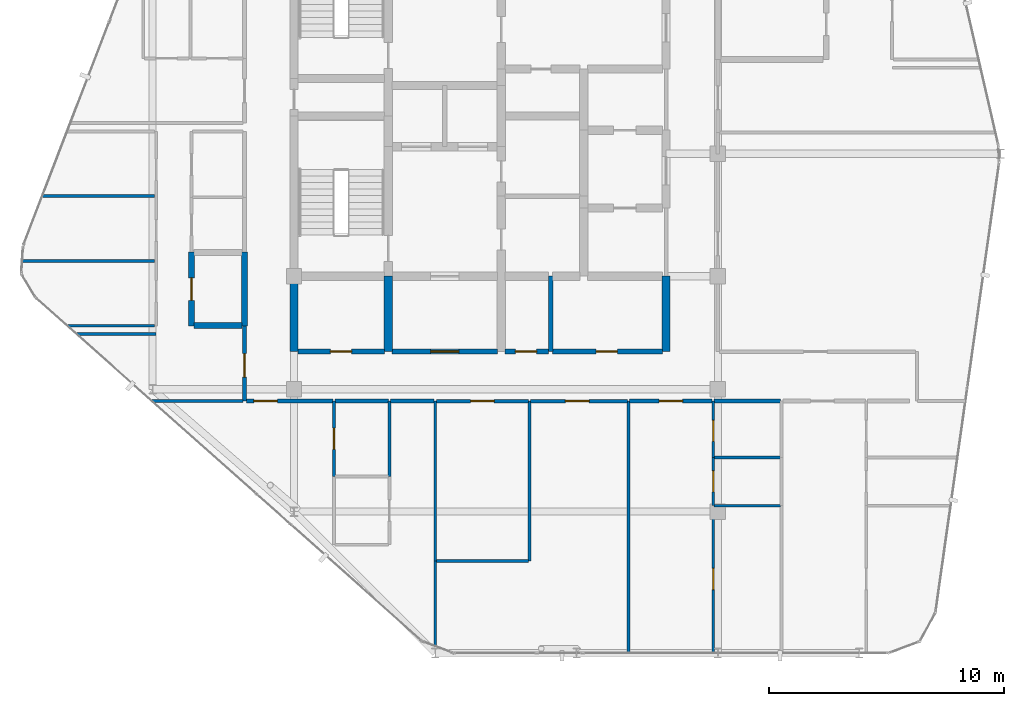
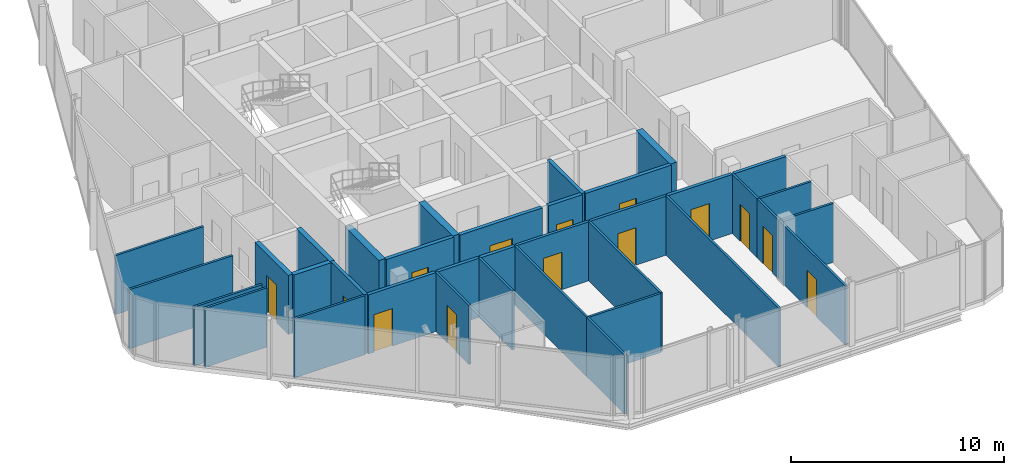
# One storey, part 22 of 28: 36 walls, 14 doors, 14 openings.
"""IFC4 building model written with IfcOpenShell, lengths in metres."""

import ifcopenshell
import ifcopenshell.guid

model = None  # the IFC model being written
_history = None  # IfcOwnerHistory: only IFC2X3 demands one
_inside = {}  # id of a spatial element -> (the spatial element, [elements in it])
_under = {}  # id of a project, library or spatial element -> (it, [spatial elements below it])
_declared = {}  # id of a project -> (the project, [libraries it declares])
_typed = {}  # id of a type object -> (the type object, [elements of that type])
_made_of = {}  # id of a material, layer set ... -> (it, [elements and type objects made of it])


def new_model(schema):
    """Start an empty IFC model of exactly this schema.

    Asked for "IFC4X3", IfcOpenShell would pick the latest addendum, in which some entities
    have other attributes; the version numbers below select the first issue.
    IFC2X3 requires an IfcOwnerHistory on every rooted entity: one is made here for all.
    """
    global model, _history
    if schema == "IFC4X3":
        model = ifcopenshell.file(schema_version=(4, 3, 0, 0))
    else:
        model = ifcopenshell.file(schema=schema)
    _inside.clear()
    _under.clear()
    _declared.clear()
    _typed.clear()
    _made_of.clear()
    _history = None
    if model.schema == "IFC2X3":
        org = make("IfcOrganization", Name="unknown")
        user = make(
            "IfcPersonAndOrganization",
            ThePerson=make("IfcPerson", FamilyName="unknown"),
            TheOrganization=org,
        )
        app = make(
            "IfcApplication",
            ApplicationDeveloper=org,
            Version="unknown",
            ApplicationFullName="unknown",
            ApplicationIdentifier="unknown",
        )
        _history = make(
            "IfcOwnerHistory",
            OwningUser=user,
            OwningApplication=app,
            ChangeAction="ADDED",
            CreationDate=0,
        )
    return model


def make(cls, **values):
    """One entity of the class cls with the attributes given. An attribute that is None is left unset."""
    return model.create_entity(
        cls, **{name: value for name, value in values.items() if value is not None}
    )


def rooted(cls, **values):
    """An entity with a GlobalId (a new one), such as an element, a storey or a relation."""
    return make(cls, GlobalId=ifcopenshell.guid.new(), OwnerHistory=_history, **values)


def si_unit(unit_type, name, prefix=None):
    """IfcSIUnit, for example si_unit("LENGTHUNIT", "METRE", prefix="MILLI")."""
    return make("IfcSIUnit", UnitType=unit_type, Prefix=prefix, Name=name)


def assignment(units):
    """IfcUnitAssignment: the units of a project."""
    return None if units is None else make("IfcUnitAssignment", Units=units)


def point(xyz):
    """IfcCartesianPoint."""
    return None if xyz is None else make("IfcCartesianPoint", Coordinates=xyz)


def direction(xyz):
    """IfcDirection."""
    return None if xyz is None else make("IfcDirection", DirectionRatios=xyz)


def frame(location, z_axis=None, x_axis=None):
    """IfcAxis2Placement3D, a coordinate frame: its origin and axes. An axis left out is left unset."""
    return make(
        "IfcAxis2Placement3D",
        Location=point(location),
        Axis=direction(z_axis),
        RefDirection=direction(x_axis),
    )


def frame_2d(location, x_axis=None):
    """IfcAxis2Placement2D, a coordinate frame in the plane: its origin and x axis."""
    return make(
        "IfcAxis2Placement2D", Location=point(location), RefDirection=direction(x_axis)
    )


def origin():
    """The frame at (0, 0, 0) with its axes left unset."""
    return frame((0.0, 0.0, 0.0))


def place(relative_to, where):
    """IfcLocalPlacement: puts the frame where relative to a parent placement (None: the world)."""
    return make(
        "IfcLocalPlacement", PlacementRelTo=relative_to, RelativePlacement=where
    )


def context(
    kind, dimensions, precision=None, world=None, true_north=None, identifier=None
):
    """IfcGeometricRepresentationContext, for example the 3D "Model" context."""
    return make(
        "IfcGeometricRepresentationContext",
        ContextIdentifier=identifier,
        ContextType=kind,
        CoordinateSpaceDimension=dimensions,
        Precision=precision,
        WorldCoordinateSystem=world,
        TrueNorth=true_north,
    )


def subcontext(parent, identifier, kind, view, scale=None):
    """IfcGeometricRepresentationSubContext, for example "Body" below "Model"."""
    return make(
        "IfcGeometricRepresentationSubContext",
        ContextIdentifier=identifier,
        ContextType=kind,
        ParentContext=parent,
        TargetScale=scale,
        TargetView=view,
    )


def project(units=None, contexts=None):
    """IfcProject with its units and contexts."""
    return rooted(
        "IfcProject",
        Name="project",
        RepresentationContexts=contexts,
        UnitsInContext=assignment(units),
    )


def spatial(cls, under=None, at=None, **own):
    """A site, building, storey or space (cls), placed at a placement, below another one or the project."""
    s = rooted(cls, ObjectPlacement=at, **own)
    if under is not None:
        _under.setdefault(under.id(), (under, []))[1].append(s)
    return s


def profile(cls, at=None, kind="AREA", **sizes):
    """A parametric profile (cls). Its sizes go by their IFC names, for example OverallWidth=200.0."""
    return make(cls, ProfileType=kind, Position=at, **sizes)


def rectangle(**sizes):
    """IfcRectangleProfileDef."""
    return profile("IfcRectangleProfileDef", **sizes)


def extrude(swept, where, along, depth):
    """IfcExtrudedAreaSolid: the profile swept, set in the frame where, extruded along a direction by depth."""
    return make(
        "IfcExtrudedAreaSolid",
        SweptArea=swept,
        Position=where,
        ExtrudedDirection=direction(along),
        Depth=depth,
    )


def shape(context_of_items, identifier, shape_type, items):
    """IfcShapeRepresentation: the items that make up one representation, for example the "Body"."""
    return make(
        "IfcShapeRepresentation",
        ContextOfItems=context_of_items,
        RepresentationIdentifier=identifier,
        RepresentationType=shape_type,
        Items=items,
    )


def material(Name=None, Category=None):
    """IfcMaterial."""
    return make("IfcMaterial", Name=Name, Category=Category)


def layer(
    of_material, thickness, ventilated=None, Name=None, Category=None, Priority=None
):
    """IfcMaterialLayer: one layer of a wall or slab, of a material (None: an air gap)."""
    return make(
        "IfcMaterialLayer",
        Material=of_material,
        LayerThickness=thickness,
        IsVentilated=ventilated,
        Name=Name,
        Category=Category,
        Priority=Priority,
    )


def layer_set(layers, Name=None):
    """IfcMaterialLayerSet."""
    return make("IfcMaterialLayerSet", MaterialLayers=layers, LayerSetName=Name)


def made_of(thing, what):
    """Note that an element or type object is made of a material, layer set ...; save() writes the relation."""
    if what is not None:
        _made_of.setdefault(what.id(), (what, []))[1].append(thing)
    return thing


def type_object(cls, material=None, **own):
    """A type object (cls), such as IfcWallType, which elements share."""
    return made_of(rooted(cls, **own), material)


def element(
    cls,
    number,
    at=None,
    inside=None,
    cuts=None,
    type_object=None,
    material=None,
    context=None,
    identifier="Body",
    shape_type=None,
    held_by="IfcProductDefinitionShape",
    body=None,
    shapes=None,
    **own,
):
    """One element of the class cls, such as IfcWall. Its Tag is "e" and its number.

    at: its placement. inside: the storey or other place that contains it. cuts: it is an
    opening in that element (IfcRelVoidsElement). A single representation is given by context,
    identifier, shape_type and body (its items); several are given by shapes. held_by: the class
    of the entity that holds the representations. save() writes the other relations.
    """
    e = rooted(cls, Tag="e%d" % number, ObjectPlacement=at, **own)
    if body is not None:
        shapes = [shape(context, identifier, shape_type, body)]
    if shapes is not None:
        e.Representation = make(held_by, Representations=shapes)
    if inside is not None:
        _inside.setdefault(inside.id(), (inside, []))[1].append(e)
    if cuts is not None:
        rooted(
            "IfcRelVoidsElement", RelatingBuildingElement=cuts, RelatedOpeningElement=e
        )
    if type_object is not None:
        _typed.setdefault(type_object.id(), (type_object, []))[1].append(e)
    return made_of(e, material)


def fill(opening, filler):
    """IfcRelFillsElement: the door or window that sits in an opening."""
    return rooted(
        "IfcRelFillsElement",
        RelatingOpeningElement=opening,
        RelatedBuildingElement=filler,
    )


def aggregate(whole, parts):
    """IfcRelAggregates: a whole, such as a stair, and the parts it consists of."""
    return rooted("IfcRelAggregates", RelatingObject=whole, RelatedObjects=parts)


def save(model, path):
    """Write the relations noted so far, then the file.

    IfcRelAggregates (storeys below a building ...), IfcRelContainedInSpatialStructure (elements
    in a storey), IfcRelDefinesByType, IfcRelAssociatesMaterial and IfcRelDeclares: one each for
    every whole, place, type object, material and project.
    """
    for whole, parts in _under.values():
        aggregate(whole, parts)
    for where, things in _inside.values():
        rooted(
            "IfcRelContainedInSpatialStructure",
            RelatedElements=things,
            RelatingStructure=where,
        )
    for kind, things in _typed.values():
        rooted("IfcRelDefinesByType", RelatedObjects=things, RelatingType=kind)
    for what, things in _made_of.values():
        rooted("IfcRelAssociatesMaterial", RelatedObjects=things, RelatingMaterial=what)
    for by, libraries in _declared.values():
        rooted("IfcRelDeclares", RelatingContext=by, RelatedDefinitions=libraries)
    model.write(path)


model = new_model("IFC4")

# Units and contexts
model_context = context("Model", 3, precision=1e-05, world=origin(), true_north=direction((0.0, 1.0)))
body_context = subcontext(model_context, "Body", "Model", "MODEL_VIEW")
ifc_project = project(units=[si_unit("LENGTHUNIT", "METRE"), si_unit("AREAUNIT", "SQUARE_METRE"), si_unit("VOLUMEUNIT", "CUBIC_METRE"), si_unit("PLANEANGLEUNIT", "RADIAN"), si_unit("MASSUNIT", "GRAM", prefix="KILO")], contexts=[model_context])

# Site, building, storey
site_placement = place(None, origin())
site = spatial("IfcSite", under=ifc_project, at=site_placement, CompositionType="ELEMENT")
building_placement = place(site_placement, origin())
building = spatial("IfcBuilding", under=site, at=building_placement, Name="Keshet Zoharim Tower", CompositionType="ELEMENT")
storey_placement = place(building_placement, frame((0.0, 0.0, 303.60009765625)))
storey = spatial("IfcBuildingStorey", under=building, at=storey_placement, Name="L76", CompositionType="ELEMENT", Elevation=303.60009765625)

# Wall, opening, door
ifc_material_1 = material(Name="Gypsum Plasterboard", Category="gypsum")
ifc_layer_1 = layer(ifc_material_1, 0.14990234375)
ifc_layer_set_1 = layer_set([ifc_layer_1], Name="Gypsum Plasterboard")
wall_type_1 = type_object("IfcWallType", Name="WL-CLIN-150", PredefinedType="STANDARD", material=ifc_layer_set_1)
wall_1_placement = place(storey_placement, frame((21.044921875, 17.39990234375, 0.0), z_axis=(0.0, 0.0, 1.0), x_axis=(1.0, 0.0, 0.0)))
wall_1 = element("IfcWall", 1, at=wall_1_placement, inside=storey, type_object=wall_type_1, Name="L76 Interior Wall 104", PredefinedType="STANDARD", context=body_context, shape_type="SweptSolid", body=[
    extrude(rectangle(XDim=3.91015625, YDim=0.14990234375, at=frame_2d((1.955078125, 0.0))), origin(), (0.0, 0.0, 1.0), 3.389892578125),
])
opening_1_placement = place(wall_1_placement, frame((1.455078125, 0.0, 0.0)))
opening_1 = element("IfcOpeningElement", 2, at=opening_1_placement, cuts=wall_1, Name="Opening D-F310", PredefinedType="OPENING", context=body_context, shape_type="SweptSolid", body=[
    extrude(rectangle(XDim=1.0, YDim=2.14990234375, at=frame_2d((0.5, 1.074951171875))), frame((0.0, 0.0849609375, 0.0), z_axis=(0.0, -1.0, 0.0), x_axis=(1.0, 0.0, 0.0)), (0.0, 0.0, 1.0), 0.169921875),
])
ifc_material_2 = material(Name="Hardwood Timber", Category="wood")
door_type_1 = type_object("IfcDoorType", Name="DR-FD30-100", OperationType="NOTDEFINED", PredefinedType="DOOR", material=ifc_material_2)
door_1_placement = place(opening_1_placement, origin())
door_1 = element("IfcDoor", 3, at=door_1_placement, inside=storey, type_object=door_type_1, Name="L76 Shared Floor Laundry Room Door", OperationType="SINGLE_SWING_LEFT", OverallHeight=2.14990234375, OverallWidth=1.0, PredefinedType="DOOR", context=body_context, shape_type="SweptSolid", body=[
    extrude(rectangle(XDim=1.0, YDim=2.14990234375, at=frame_2d((0.5, 1.074951171875))), frame((0.0, 0.02490234375, 0.0), z_axis=(0.0, -1.0, 0.0), x_axis=(1.0, 0.0, 0.0)), (0.0, 0.0, 1.0), 0.050048828125),
])
fill(opening_1, door_1)

wall_2_placement = place(storey_placement, frame((25.044921875, 17.39990234375, 0.0), z_axis=(0.0, 0.0, 1.0), x_axis=(1.0, 0.0, 0.0)))
wall_2 = element("IfcWall", 4, at=wall_2_placement, inside=storey, type_object=wall_type_1, Name="L76 Interior Wall 105", PredefinedType="STANDARD", context=body_context, shape_type="SweptSolid", body=[
    extrude(rectangle(XDim=4.110107421875, YDim=0.14990234375, at=frame_2d((2.05517578125, 0.0))), origin(), (0.0, 0.0, 1.0), 3.389892578125),
])
opening_2_placement = place(wall_2_placement, frame((1.48291015625, 0.0, 0.0)))
opening_2 = element("IfcOpeningElement", 5, at=opening_2_placement, cuts=wall_2, Name="Opening D-F310", PredefinedType="OPENING", context=body_context, shape_type="SweptSolid", body=[
    extrude(rectangle(XDim=1.0, YDim=2.14990234375, at=frame_2d((0.5, 1.074951171875))), frame((0.0, 0.0849609375, 0.0), z_axis=(0.0, -1.0, 0.0), x_axis=(1.0, 0.0, 0.0)), (0.0, 0.0, 1.0), 0.169921875),
])
door_2_placement = place(opening_2_placement, origin())
door_2 = element("IfcDoor", 6, at=door_2_placement, inside=storey, type_object=door_type_1, Name="L76 Residents Study Lounge Door", OperationType="SINGLE_SWING_RIGHT", OverallHeight=2.14990234375, OverallWidth=1.0, PredefinedType="DOOR", context=body_context, shape_type="SweptSolid", body=[
    extrude(rectangle(XDim=1.0, YDim=2.14990234375, at=frame_2d((0.5, 1.074951171875))), frame((0.0, 0.02490234375, 0.0), z_axis=(0.0, -1.0, 0.0), x_axis=(1.0, 0.0, 0.0)), (0.0, 0.0, 1.0), 0.050048828125),
])
fill(opening_2, door_2)

# Walls
ifc_material_3 = material(Name="Concrete C60/75", Category="concrete")
ifc_layer_2 = layer(ifc_material_3, 0.35009765625)
ifc_layer_set_2 = layer_set([ifc_layer_2], Name="Concrete C60/75")
wall_type_2 = type_object("IfcWallType", Name="WL-CORE-350", PredefinedType="SHEAR", material=ifc_layer_set_2)
for number, where, z_axis, x_axis, name in (
    (7, (15.0, 19.5, 0.0), (0.0, 0.0, 1.0), (0.0, 1.0, 0.0), "L76 Core Shear Wall 015"),
    (8, (19.0, 19.5, 0.0), (0.0, 0.0, 1.0), (0.0, 1.0, 0.0), "L76 Core Shear Wall 024"),
    (9, (30.800048828125, 19.5, 0.0), (0.0, 0.0, 1.0), (0.0, 1.0, 0.0), "L76 Core Shear Wall 059"),
):
    element("IfcWall", number, at=place(storey_placement, frame(where, z_axis=z_axis, x_axis=x_axis)), inside=storey, type_object=wall_type_2, Name=name, PredefinedType="SHEAR", context=body_context, shape_type="SweptSolid", body=[
        extrude(rectangle(XDim=3.199951171875, YDim=0.35009765625, at=frame_2d((1.60009765625, 0.0))), origin(), (0.0, 0.0, 1.0), 3.389892578125),
    ])

# Wall, opening, door
ifc_layer_3 = layer(ifc_material_1, 0.179931640625)
ifc_layer_set_3 = layer_set([ifc_layer_3], Name="Gypsum Plasterboard")
wall_type_3 = type_object("IfcWallType", Name="WL-CORR-180", PredefinedType="STANDARD", material=ifc_layer_set_3)
wall_3_placement = place(storey_placement, frame((12.89990234375, 17.39990234375, 0.0), z_axis=(0.0, 0.0, 1.0), x_axis=(0.0, 1.0, 0.0)))
wall_3 = element("IfcWall", 10, at=wall_3_placement, inside=storey, type_object=wall_type_3, Name="L76 Interior Wall 007", PredefinedType="STANDARD", context=body_context, shape_type="SweptSolid", body=[
    extrude(rectangle(XDim=3.18017578125, YDim=0.179931640625, at=frame_2d((1.590087890625, 0.0))), origin(), (0.0, 0.0, 1.0), 3.389892578125),
])
opening_3_placement = place(wall_3_placement, frame((1.014892578125, 0.0, 0.0)))
opening_3 = element("IfcOpeningElement", 11, at=opening_3_placement, cuts=wall_3, Name="Opening D-F310", PredefinedType="OPENING", context=body_context, shape_type="SweptSolid", body=[
    extrude(rectangle(XDim=1.0, YDim=2.14990234375, at=frame_2d((0.5, 1.074951171875))), frame((0.0, 0.10009765625, 0.0), z_axis=(0.0, -1.0, 0.0), x_axis=(1.0, 0.0, 0.0)), (0.0, 0.0, 1.0), 0.199951171875),
])
door_3_placement = place(opening_3_placement, origin())
door_3 = element("IfcDoor", 12, at=door_3_placement, inside=storey, type_object=door_type_1, Name="Apartment 7607 Entrance Door", OperationType="SINGLE_SWING_LEFT", OverallHeight=2.14990234375, OverallWidth=1.0, PredefinedType="DOOR", context=body_context, shape_type="SweptSolid", body=[
    extrude(rectangle(XDim=1.0, YDim=2.14990234375, at=frame_2d((0.5, 1.074951171875))), frame((0.0, 0.02490234375, 0.0), z_axis=(0.0, -1.0, 0.0), x_axis=(1.0, 0.0, 0.0)), (0.0, 0.0, 1.0), 0.050048828125),
])
fill(opening_3, door_3)

wall_4_placement = place(storey_placement, frame((12.97509765625, 17.39990234375, 0.0), z_axis=(0.0, 0.0, 1.0), x_axis=(1.0, 0.0, 0.0)))
wall_4 = element("IfcWall", 13, at=wall_4_placement, inside=storey, type_object=wall_type_3, Name="L76 Interior Wall 101", PredefinedType="STANDARD", context=body_context, shape_type="SweptSolid", body=[
    extrude(rectangle(XDim=3.679931640625, YDim=0.179931640625, at=frame_2d((1.83984375, 0.0))), origin(), (0.0, 0.0, 1.0), 3.389892578125),
])
opening_4_placement = place(wall_4_placement, frame((0.322021484375, 0.0, 0.0)))
opening_4 = element("IfcOpeningElement", 14, at=opening_4_placement, cuts=wall_4, Name="Opening D-F310", PredefinedType="OPENING", context=body_context, shape_type="SweptSolid", body=[
    extrude(rectangle(XDim=1.0, YDim=2.14990234375, at=frame_2d((0.5, 1.074951171875))), frame((0.0, 0.10009765625, 0.0), z_axis=(0.0, -1.0, 0.0), x_axis=(1.0, 0.0, 0.0)), (0.0, 0.0, 1.0), 0.199951171875),
])
door_4_placement = place(opening_4_placement, origin())
door_4 = element("IfcDoor", 15, at=door_4_placement, inside=storey, type_object=door_type_1, Name="Apartment 7601 Entrance Door", OperationType="SINGLE_SWING_RIGHT", OverallHeight=2.14990234375, OverallWidth=1.0, PredefinedType="DOOR", context=body_context, shape_type="SweptSolid", body=[
    extrude(rectangle(XDim=1.0, YDim=2.14990234375, at=frame_2d((0.5, 1.074951171875))), frame((0.0, 0.02490234375, 0.0), z_axis=(0.0, -1.0, 0.0), x_axis=(1.0, 0.0, 0.0)), (0.0, 0.0, 1.0), 0.050048828125),
])
fill(opening_4, door_4)

# Walls
wall_5_placement = place(storey_placement, frame((16.7451171875, 17.39990234375, 0.0), z_axis=(0.0, 0.0, 1.0), x_axis=(1.0, 0.0, 0.0)))
element("IfcWall", 16, at=wall_5_placement, inside=storey, type_object=wall_type_3, Name="L76 Interior Wall 102", PredefinedType="STANDARD", context=body_context, shape_type="SweptSolid", body=[
    extrude(rectangle(XDim=2.259765625, YDim=0.179931640625, at=frame_2d((1.1298828125, 0.0))), origin(), (0.0, 0.0, 1.0), 3.389892578125),
])
wall_6_placement = place(storey_placement, frame((19.094970703125, 17.39990234375, 0.0), z_axis=(0.0, 0.0, 1.0), x_axis=(1.0, 0.0, 0.0)))
element("IfcWall", 17, at=wall_6_placement, inside=storey, type_object=wall_type_3, Name="L76 Interior Wall 103", PredefinedType="STANDARD", context=body_context, shape_type="SweptSolid", body=[
    extrude(rectangle(XDim=1.860107421875, YDim=0.179931640625, at=frame_2d((0.93017578125, 0.0))), origin(), (0.0, 0.0, 1.0), 3.389892578125),
])

# Wall, opening, door
wall_7_placement = place(storey_placement, frame((29.2451171875, 17.39990234375, 0.0), z_axis=(0.0, 0.0, 1.0), x_axis=(1.0, 0.0, 0.0)))
wall_7 = element("IfcWall", 18, at=wall_7_placement, inside=storey, type_object=wall_type_3, Name="L76 Interior Wall 106", PredefinedType="STANDARD", context=body_context, shape_type="SweptSolid", body=[
    extrude(rectangle(XDim=3.509765625, YDim=0.179931640625, at=frame_2d((1.7548828125, 0.0))), origin(), (0.0, 0.0, 1.0), 3.389892578125),
])
opening_5_placement = place(wall_7_placement, frame((1.2548828125, 0.0, 0.0)))
opening_5 = element("IfcOpeningElement", 19, at=opening_5_placement, cuts=wall_7, Name="Opening D-F310", PredefinedType="OPENING", context=body_context, shape_type="SweptSolid", body=[
    extrude(rectangle(XDim=1.0, YDim=2.14990234375, at=frame_2d((0.5, 1.074951171875))), frame((0.0, 0.10009765625, 0.0), z_axis=(0.0, -1.0, 0.0), x_axis=(1.0, 0.0, 0.0)), (0.0, 0.0, 1.0), 0.199951171875),
])
door_5_placement = place(opening_5_placement, origin())
door_5 = element("IfcDoor", 20, at=door_5_placement, inside=storey, type_object=door_type_1, Name="Apartment 7602 Entrance Door", OperationType="SINGLE_SWING_LEFT", OverallHeight=2.14990234375, OverallWidth=1.0, PredefinedType="DOOR", context=body_context, shape_type="SweptSolid", body=[
    extrude(rectangle(XDim=1.0, YDim=2.14990234375, at=frame_2d((0.5, 1.074951171875))), frame((0.0, 0.02490234375, 0.0), z_axis=(0.0, -1.0, 0.0), x_axis=(1.0, 0.0, 0.0)), (0.0, 0.0, 1.0), 0.050048828125),
])
fill(opening_5, door_5)

# Walls
wall_8_placement = place(storey_placement, frame((32.844970703125, 17.39990234375, 0.0), z_axis=(0.0, 0.0, 1.0), x_axis=(1.0, 0.0, 0.0)))
element("IfcWall", 21, at=wall_8_placement, inside=storey, type_object=wall_type_3, Name="L76 Interior Wall 107", PredefinedType="STANDARD", context=body_context, shape_type="SweptSolid", body=[
    extrude(rectangle(XDim=2.820068359375, YDim=0.179931640625, at=frame_2d((1.41015625, 0.0))), origin(), (0.0, 0.0, 1.0), 3.389892578125),
])
ifc_material_4 = material(Name="Concrete C50/60", Category="concrete")
ifc_layer_4 = layer(ifc_material_4, 0.199951171875)
ifc_layer_set_4 = layer_set([ifc_layer_4], Name="Concrete C50/60")
wall_type_4 = type_object("IfcWallType", Name="WL-FIRE-200", PredefinedType="STANDARD", material=ifc_layer_set_4)
wall_9_placement = place(storey_placement, frame((25.89990234375, 19.5, 0.0), z_axis=(0.0, 0.0, 1.0), x_axis=(0.0, 1.0, 0.0)))
element("IfcWall", 22, at=wall_9_placement, inside=storey, type_object=wall_type_4, Name="L76 Interior Wall 047", PredefinedType="STANDARD", context=body_context, shape_type="SweptSolid", body=[
    extrude(rectangle(XDim=3.199951171875, YDim=0.199951171875, at=frame_2d((1.60009765625, 0.0))), origin(), (0.0, 0.0, 1.0), 3.389892578125),
])

# Wall, opening, door
wall_10_placement = place(storey_placement, frame((15.159912109375, 19.5, 0.0), z_axis=(0.0, 0.0, 1.0), x_axis=(1.0, 0.0, 0.0)))
wall_10 = element("IfcWall", 23, at=wall_10_placement, inside=storey, type_object=wall_type_4, Name="L76 Interior Wall 111", PredefinedType="STANDARD", context=body_context, shape_type="SweptSolid", body=[
    extrude(rectangle(XDim=3.68017578125, YDim=0.199951171875, at=frame_2d((1.840087890625, 0.0))), origin(), (0.0, 0.0, 1.0), 3.389892578125),
])
opening_6_placement = place(wall_10_placement, frame((1.389892578125, 0.0, 0.0)))
opening_6 = element("IfcOpeningElement", 24, at=opening_6_placement, cuts=wall_10, Name="Opening D-F690", PredefinedType="OPENING", context=body_context, shape_type="SweptSolid", body=[
    extrude(rectangle(XDim=0.89990234375, YDim=2.14990234375, at=frame_2d((0.449951171875, 1.074951171875))), frame((0.0, 0.10986328125, 0.0), z_axis=(0.0, -1.0, 0.0), x_axis=(1.0, 0.0, 0.0)), (0.0, 0.0, 1.0), 0.219970703125),
])
door_type_2 = type_object("IfcDoorType", Name="DR-FD60-090", OperationType="NOTDEFINED", PredefinedType="DOOR", material=ifc_material_2)
door_6_placement = place(opening_6_placement, origin())
door_6 = element("IfcDoor", 25, at=door_6_placement, inside=storey, type_object=door_type_2, Name="L76 Refuse Room Door", OperationType="SINGLE_SWING_LEFT", OverallHeight=2.14990234375, OverallWidth=0.89990234375, PredefinedType="DOOR", context=body_context, shape_type="SweptSolid", body=[
    extrude(rectangle(XDim=0.89990234375, YDim=2.14990234375, at=frame_2d((0.449951171875, 1.074951171875))), frame((0.0, 0.02490234375, 0.0), z_axis=(0.0, -1.0, 0.0), x_axis=(1.0, 0.0, 0.0)), (0.0, 0.0, 1.0), 0.050048828125),
])
fill(opening_6, door_6)

wall_11_placement = place(storey_placement, frame((19.159912109375, 19.5, 0.0), z_axis=(0.0, 0.0, 1.0), x_axis=(1.0, 0.0, 0.0)))
wall_11 = element("IfcWall", 26, at=wall_11_placement, inside=storey, type_object=wall_type_4, Name="L76 Interior Wall 112", PredefinedType="STANDARD", context=body_context, shape_type="SweptSolid", body=[
    extrude(rectangle(XDim=4.47998046875, YDim=0.199951171875, at=frame_2d((2.239990234375, 0.0))), origin(), (0.0, 0.0, 1.0), 3.389892578125),
])
opening_7_placement = place(wall_11_placement, frame((1.639892578125, 0.0, 0.0)))
opening_7 = element("IfcOpeningElement", 27, at=opening_7_placement, cuts=wall_11, Name="Opening D-F612", PredefinedType="OPENING", context=body_context, shape_type="SweptSolid", body=[
    extrude(rectangle(XDim=1.199951171875, YDim=2.199951171875, at=frame_2d((0.60009765625, 1.10009765625))), frame((0.0, 0.10986328125, 0.0), z_axis=(0.0, -1.0, 0.0), x_axis=(1.0, 0.0, 0.0)), (0.0, 0.0, 1.0), 0.219970703125),
])
door_type_3 = type_object("IfcDoorType", Name="DR-FD60-120", OperationType="NOTDEFINED", PredefinedType="DOOR", material=ifc_material_2)
door_7_placement = place(opening_7_placement, origin())
door_7 = element("IfcDoor", 28, at=door_7_placement, inside=storey, type_object=door_type_3, Name="L76 South Vestibule Corridor Door", OperationType="SINGLE_SWING_RIGHT", OverallHeight=2.199951171875, OverallWidth=1.199951171875, PredefinedType="DOOR", context=body_context, shape_type="SweptSolid", body=[
    extrude(rectangle(XDim=1.199951171875, YDim=2.199951171875, at=frame_2d((0.60009765625, 1.10009765625))), frame((0.0, 0.02490234375, 0.0), z_axis=(0.0, -1.0, 0.0), x_axis=(1.0, 0.0, 0.0)), (0.0, 0.0, 1.0), 0.050048828125),
])
fill(opening_7, door_7)

wall_12_placement = place(storey_placement, frame((23.9599609375, 19.5, 0.0), z_axis=(0.0, 0.0, 1.0), x_axis=(1.0, 0.0, 0.0)))
wall_12 = element("IfcWall", 29, at=wall_12_placement, inside=storey, type_object=wall_type_4, Name="L76 Interior Wall 113", PredefinedType="STANDARD", context=body_context, shape_type="SweptSolid", body=[
    extrude(rectangle(XDim=1.85498046875, YDim=0.199951171875, at=frame_2d((0.927490234375, 0.0))), origin(), (0.0, 0.0, 1.0), 3.389892578125),
])
opening_8_placement = place(wall_12_placement, frame((0.43994140625, 0.0, 0.0)))
opening_8 = element("IfcOpeningElement", 30, at=opening_8_placement, cuts=wall_12, Name="Opening D-F690", PredefinedType="OPENING", context=body_context, shape_type="SweptSolid", body=[
    extrude(rectangle(XDim=0.89990234375, YDim=2.14990234375, at=frame_2d((0.449951171875, 1.074951171875))), frame((0.0, 0.10986328125, 0.0), z_axis=(0.0, -1.0, 0.0), x_axis=(1.0, 0.0, 0.0)), (0.0, 0.0, 1.0), 0.219970703125),
])
door_8_placement = place(opening_8_placement, origin())
door_8 = element("IfcDoor", 31, at=door_8_placement, inside=storey, type_object=door_type_2, Name="L76 Cleaners Store Door", OperationType="SINGLE_SWING_LEFT", OverallHeight=2.14990234375, OverallWidth=0.89990234375, PredefinedType="DOOR", context=body_context, shape_type="SweptSolid", body=[
    extrude(rectangle(XDim=0.89990234375, YDim=2.14990234375, at=frame_2d((0.449951171875, 1.074951171875))), frame((0.0, 0.02490234375, 0.0), z_axis=(0.0, -1.0, 0.0), x_axis=(1.0, 0.0, 0.0)), (0.0, 0.0, 1.0), 0.050048828125),
])
fill(opening_8, door_8)

wall_13_placement = place(storey_placement, frame((25.985107421875, 19.5, 0.0), z_axis=(0.0, 0.0, 1.0), x_axis=(1.0, 0.0, 0.0)))
wall_13 = element("IfcWall", 32, at=wall_13_placement, inside=storey, type_object=wall_type_4, Name="L76 Interior Wall 114", PredefinedType="STANDARD", context=body_context, shape_type="SweptSolid", body=[
    extrude(rectangle(XDim=4.65478515625, YDim=0.199951171875, at=frame_2d((2.327392578125, 0.0))), origin(), (0.0, 0.0, 1.0), 3.389892578125),
])
opening_9_placement = place(wall_13_placement, frame((1.844970703125, 0.0, 0.0)))
opening_9 = element("IfcOpeningElement", 33, at=opening_9_placement, cuts=wall_13, Name="Opening D-F690", PredefinedType="OPENING", context=body_context, shape_type="SweptSolid", body=[
    extrude(rectangle(XDim=0.89990234375, YDim=2.14990234375, at=frame_2d((0.449951171875, 1.074951171875))), frame((0.0, 0.10986328125, 0.0), z_axis=(0.0, -1.0, 0.0), x_axis=(1.0, 0.0, 0.0)), (0.0, 0.0, 1.0), 0.219970703125),
])
door_9_placement = place(opening_9_placement, origin())
door_9 = element("IfcDoor", 34, at=door_9_placement, inside=storey, type_object=door_type_2, Name="L76 Meter Room Door", OperationType="SINGLE_SWING_RIGHT", OverallHeight=2.14990234375, OverallWidth=0.89990234375, PredefinedType="DOOR", context=body_context, shape_type="SweptSolid", body=[
    extrude(rectangle(XDim=0.89990234375, YDim=2.14990234375, at=frame_2d((0.449951171875, 1.074951171875))), frame((0.0, 0.02490234375, 0.0), z_axis=(0.0, -1.0, 0.0), x_axis=(1.0, 0.0, 0.0)), (0.0, 0.0, 1.0), 0.050048828125),
])
fill(opening_9, door_9)

ifc_layer_5 = layer(ifc_material_4, 0.25)
ifc_layer_set_5 = layer_set([ifc_layer_5], Name="Concrete C50/60")
wall_type_5 = type_object("IfcWallType", Name="WL-MAMAD-250", PredefinedType="STANDARD", material=ifc_layer_set_5)
wall_14_placement = place(storey_placement, frame((10.64990234375, 20.580078125, 0.0), z_axis=(0.0, 0.0, 1.0), x_axis=(0.0, 1.0, 0.0)))
wall_14 = element("IfcWall", 35, at=wall_14_placement, inside=storey, type_object=wall_type_5, Name="L76 Interior Wall 004", PredefinedType="STANDARD", context=body_context, shape_type="SweptSolid", body=[
    extrude(rectangle(XDim=3.141845703125, YDim=0.25, at=frame_2d((1.57080078125, 0.0))), origin(), (0.0, 0.0, 1.0), 3.389892578125),
])
opening_10_placement = place(wall_14_placement, frame((1.095947265625, 0.0, 0.0)))
opening_10 = element("IfcOpeningElement", 36, at=opening_10_placement, cuts=wall_14, Name="Opening D-F695", PredefinedType="OPENING", context=body_context, shape_type="SweptSolid", body=[
    extrude(rectangle(XDim=0.949951171875, YDim=2.14990234375, at=frame_2d((0.47509765625, 1.074951171875))), frame((0.0, 0.135009765625, 0.0), z_axis=(0.0, -1.0, 0.0), x_axis=(1.0, 0.0, 0.0)), (0.0, 0.0, 1.0), 0.27001953125),
])
door_type_4 = type_object("IfcDoorType", Name="DR-FD60-095", OperationType="NOTDEFINED", PredefinedType="DOOR", material=ifc_material_2)
door_10_placement = place(opening_10_placement, origin())
door_10 = element("IfcDoor", 37, at=door_10_placement, inside=storey, type_object=door_type_4, Name="Apartment 7607 Study and Shelter Room Door", OperationType="SINGLE_SWING_RIGHT", OverallHeight=2.14990234375, OverallWidth=0.949951171875, PredefinedType="DOOR", context=body_context, shape_type="SweptSolid", body=[
    extrude(rectangle(XDim=0.949951171875, YDim=2.14990234375, at=frame_2d((0.47509765625, 1.074951171875))), frame((0.0, 0.02490234375, 0.0), z_axis=(0.0, -1.0, 0.0), x_axis=(1.0, 0.0, 0.0)), (0.0, 0.0, 1.0), 0.050048828125),
])
fill(opening_10, door_10)

# Walls
wall_15_placement = place(storey_placement, frame((12.89990234375, 20.580078125, 0.0), z_axis=(0.0, 0.0, 1.0), x_axis=(0.0, 1.0, 0.0)))
element("IfcWall", 38, at=wall_15_placement, inside=storey, type_object=wall_type_5, Name="L76 Interior Wall 008", PredefinedType="STANDARD", context=body_context, shape_type="SweptSolid", body=[
    extrude(rectangle(XDim=3.141845703125, YDim=0.25, at=frame_2d((1.57080078125, 0.0))), origin(), (0.0, 0.0, 1.0), 3.389892578125),
])
wall_16_placement = place(storey_placement, frame((10.760009765625, 20.60009765625, 0.0), z_axis=(0.0, 0.0, 1.0), x_axis=(1.0, 0.0, 0.0)))
element("IfcWall", 39, at=wall_16_placement, inside=storey, type_object=wall_type_5, Name="L76 Interior Wall 118", PredefinedType="STANDARD", context=body_context, shape_type="SweptSolid", body=[
    extrude(rectangle(XDim=2.030029296875, YDim=0.25, at=frame_2d((1.01513671875, 0.0))), origin(), (0.0, 0.0, 1.0), 3.389892578125),
])

# Wall, opening, door
ifc_layer_6 = layer(ifc_material_1, 0.1201171875)
ifc_layer_set_6 = layer_set([ifc_layer_6], Name="Gypsum Plasterboard")
wall_type_6 = type_object("IfcWallType", Name="WL-PART-120", PredefinedType="PARTITIONING", material=ifc_layer_set_6)
wall_17_placement = place(storey_placement, frame((16.699951171875, 14.199951171875, 0.0), z_axis=(0.0, 0.0, 1.0), x_axis=(0.0, 1.0, 0.0)))
wall_17 = element("IfcWall", 40, at=wall_17_placement, inside=storey, type_object=wall_type_6, Name="L76 Interior Wall 022", PredefinedType="PARTITIONING", context=body_context, shape_type="SweptSolid", body=[
    extrude(rectangle(XDim=3.199951171875, YDim=0.1201171875, at=frame_2d((1.60009765625, 0.0))), origin(), (0.0, 0.0, 1.0), 3.389892578125),
])
opening_11_placement = place(wall_17_placement, frame((1.14990234375, 0.0, 0.0)))
opening_11 = element("IfcOpeningElement", 41, at=opening_11_placement, cuts=wall_17, Name="Opening D-IN90", PredefinedType="OPENING", context=body_context, shape_type="SweptSolid", body=[
    extrude(rectangle(XDim=0.89990234375, YDim=2.14990234375, at=frame_2d((0.449951171875, 1.074951171875))), frame((0.0, 0.070068359375, 0.0), z_axis=(0.0, -1.0, 0.0), x_axis=(1.0, 0.0, 0.0)), (0.0, 0.0, 1.0), 0.14013671875),
])
door_type_5 = type_object("IfcDoorType", Name="DR-INT-090", OperationType="NOTDEFINED", PredefinedType="DOOR", material=ifc_material_2)
door_11_placement = place(opening_11_placement, origin())
door_11 = element("IfcDoor", 42, at=door_11_placement, inside=storey, type_object=door_type_5, Name="Apartment 7601 Kitchenette Door", OperationType="SINGLE_SWING_RIGHT", OverallHeight=2.14990234375, OverallWidth=0.89990234375, PredefinedType="DOOR", context=body_context, shape_type="SweptSolid", body=[
    extrude(rectangle(XDim=0.89990234375, YDim=2.14990234375, at=frame_2d((0.449951171875, 1.074951171875))), frame((0.0, 0.02490234375, 0.0), z_axis=(0.0, -1.0, 0.0), x_axis=(1.0, 0.0, 0.0)), (0.0, 0.0, 1.0), 0.050048828125),
])
fill(opening_11, door_11)

# Walls
wall_18_placement = place(storey_placement, frame((19.050048828125, 14.199951171875, 0.0), z_axis=(0.0, 0.0, 1.0), x_axis=(0.0, 1.0, 0.0)))
element("IfcWall", 43, at=wall_18_placement, inside=storey, type_object=wall_type_6, Name="L76 Interior Wall 030", PredefinedType="PARTITIONING", context=body_context, shape_type="SweptSolid", body=[
    extrude(rectangle(XDim=3.199951171875, YDim=0.1201171875, at=frame_2d((1.60009765625, 0.0))), origin(), (0.0, 0.0, 1.0), 3.389892578125),
])
wall_19_placement = place(storey_placement, frame((21.0, 6.9990234375, 0.0), z_axis=(0.0, 0.0, 1.0), x_axis=(0.0, 1.0, 0.0)))
element("IfcWall", 44, at=wall_19_placement, inside=storey, type_object=wall_type_6, Name="L76 Interior Wall 031", PredefinedType="PARTITIONING", context=body_context, shape_type="SweptSolid", body=[
    extrude(rectangle(XDim=3.60107421875, YDim=0.1201171875, at=frame_2d((1.800537109375, 0.0))), origin(), (0.0, 0.0, 1.0), 3.389892578125),
])
for number, where, z_axis, x_axis, name in (
    (45, (21.0, 10.60009765625, 0.0), (0.0, 0.0, 1.0), (0.0, 1.0, 0.0), "L76 Interior Wall 032"),
    (46, (25.0, 10.60009765625, 0.0), (0.0, 0.0, 1.0), (0.0, 1.0, 0.0), "L76 Interior Wall 044"),
):
    element("IfcWall", number, at=place(storey_placement, frame(where, z_axis=z_axis, x_axis=x_axis)), inside=storey, type_object=wall_type_6, Name=name, PredefinedType="PARTITIONING", context=body_context, shape_type="SweptSolid", body=[
        extrude(rectangle(XDim=6.7998046875, YDim=0.1201171875, at=frame_2d((3.39990234375, 0.0))), origin(), (0.0, 0.0, 1.0), 3.389892578125),
    ])
wall_20_placement = place(storey_placement, frame((29.199951171875, 6.7099609375, 0.0), z_axis=(0.0, 0.0, 1.0), x_axis=(0.0, 1.0, 0.0)))
element("IfcWall", 47, at=wall_20_placement, inside=storey, type_object=wall_type_6, Name="L76 Interior Wall 058", PredefinedType="PARTITIONING", context=body_context, shape_type="SweptSolid", body=[
    extrude(rectangle(XDim=10.68994140625, YDim=0.1201171875, at=frame_2d((5.344970703125, 0.0))), origin(), (0.0, 0.0, 1.0), 3.389892578125),
])

# Wall, opening, door
wall_21_placement = place(storey_placement, frame((32.800048828125, 6.7099609375, 0.0), z_axis=(0.0, 0.0, 1.0), x_axis=(0.0, 1.0, 0.0)))
wall_21 = element("IfcWall", 48, at=wall_21_placement, inside=storey, type_object=wall_type_6, Name="L76 Interior Wall 066", PredefinedType="PARTITIONING", context=body_context, shape_type="SweptSolid", body=[
    extrude(rectangle(XDim=6.260009765625, YDim=0.1201171875, at=frame_2d((3.1298828125, 0.0))), origin(), (0.0, 0.0, 1.0), 3.389892578125),
])
opening_12_placement = place(wall_21_placement, frame((2.679931640625, 0.0, 0.0)))
opening_12 = element("IfcOpeningElement", 49, at=opening_12_placement, cuts=wall_21, Name="Opening D-IN90", PredefinedType="OPENING", context=body_context, shape_type="SweptSolid", body=[
    extrude(rectangle(XDim=0.89990234375, YDim=2.14990234375, at=frame_2d((0.449951171875, 1.074951171875))), frame((0.0, 0.070068359375, 0.0), z_axis=(0.0, -1.0, 0.0), x_axis=(1.0, 0.0, 0.0)), (0.0, 0.0, 1.0), 0.14013671875),
])
door_12_placement = place(opening_12_placement, origin())
door_12 = element("IfcDoor", 50, at=door_12_placement, inside=storey, type_object=door_type_5, Name="Apartment 7602 Bedroom 1 Door", OperationType="SINGLE_SWING_LEFT", OverallHeight=2.14990234375, OverallWidth=0.89990234375, PredefinedType="DOOR", context=body_context, shape_type="SweptSolid", body=[
    extrude(rectangle(XDim=0.89990234375, YDim=2.14990234375, at=frame_2d((0.449951171875, 1.074951171875))), frame((0.0, 0.02490234375, 0.0), z_axis=(0.0, -1.0, 0.0), x_axis=(1.0, 0.0, 0.0)), (0.0, 0.0, 1.0), 0.050048828125),
])
fill(opening_12, door_12)

wall_22_placement = place(storey_placement, frame((32.800048828125, 12.969970703125, 0.0), z_axis=(0.0, 0.0, 1.0), x_axis=(0.0, 1.0, 0.0)))
wall_22 = element("IfcWall", 51, at=wall_22_placement, inside=storey, type_object=wall_type_6, Name="L76 Interior Wall 067", PredefinedType="PARTITIONING", context=body_context, shape_type="SweptSolid", body=[
    extrude(rectangle(XDim=2.0380859375, YDim=0.1201171875, at=frame_2d((1.01904296875, 0.0))), origin(), (0.0, 0.0, 1.0), 3.389892578125),
])
opening_13_placement = place(wall_22_placement, frame((0.569091796875, 0.0, 0.0)))
opening_13 = element("IfcOpeningElement", 52, at=opening_13_placement, cuts=wall_22, Name="Opening D-IN90", PredefinedType="OPENING", context=body_context, shape_type="SweptSolid", body=[
    extrude(rectangle(XDim=0.89990234375, YDim=2.14990234375, at=frame_2d((0.449951171875, 1.074951171875))), frame((0.0, 0.070068359375, 0.0), z_axis=(0.0, -1.0, 0.0), x_axis=(1.0, 0.0, 0.0)), (0.0, 0.0, 1.0), 0.14013671875),
])
door_13_placement = place(opening_13_placement, origin())
door_13 = element("IfcDoor", 53, at=door_13_placement, inside=storey, type_object=door_type_5, Name="Apartment 7602 Kitchen Door", OperationType="SINGLE_SWING_RIGHT", OverallHeight=2.14990234375, OverallWidth=0.89990234375, PredefinedType="DOOR", context=body_context, shape_type="SweptSolid", body=[
    extrude(rectangle(XDim=0.89990234375, YDim=2.14990234375, at=frame_2d((0.449951171875, 1.074951171875))), frame((0.0, 0.02490234375, 0.0), z_axis=(0.0, -1.0, 0.0), x_axis=(1.0, 0.0, 0.0)), (0.0, 0.0, 1.0), 0.050048828125),
])
fill(opening_13, door_13)

# Walls
wall_23_placement = place(storey_placement, frame((21.044921875, 10.60009765625, 0.0), z_axis=(0.0, 0.0, 1.0), x_axis=(1.0, 0.0, 0.0)))
element("IfcWall", 54, at=wall_23_placement, inside=storey, type_object=wall_type_6, Name="L76 Interior Wall 093", PredefinedType="PARTITIONING", context=body_context, shape_type="SweptSolid", body=[
    extrude(rectangle(XDim=3.91015625, YDim=0.1201171875, at=frame_2d((1.955078125, 0.0))), origin(), (0.0, 0.0, 1.0), 3.389892578125),
])
wall_24_placement = place(storey_placement, frame((32.844970703125, 12.949951171875, 0.0), z_axis=(0.0, 0.0, 1.0), x_axis=(1.0, 0.0, 0.0)))
element("IfcWall", 55, at=wall_24_placement, inside=storey, type_object=wall_type_6, Name="L76 Interior Wall 095", PredefinedType="PARTITIONING", context=body_context, shape_type="SweptSolid", body=[
    extrude(rectangle(XDim=2.820068359375, YDim=0.1201171875, at=frame_2d((1.41015625, 0.0))), origin(), (0.0, 0.0, 1.0), 3.389892578125),
])
wall_25_placement = place(storey_placement, frame((8.972900390625, 17.39990234375, 0.0), z_axis=(0.0, 0.0, 1.0), x_axis=(1.0, 0.0, 0.0)))
element("IfcWall", 56, at=wall_25_placement, inside=storey, type_object=wall_type_6, Name="L76 Interior Wall 100", PredefinedType="PARTITIONING", context=body_context, shape_type="SweptSolid", body=[
    extrude(rectangle(XDim=3.85205078125, YDim=0.1201171875, at=frame_2d((1.926025390625, 0.0))), origin(), (0.0, 0.0, 1.0), 3.389892578125),
])
wall_26_placement = place(storey_placement, frame((5.76611328125, 20.25, 0.0), z_axis=(0.0, 0.0, 1.0), x_axis=(1.0, 0.0, 0.0)))
element("IfcWall", 57, at=wall_26_placement, inside=storey, type_object=wall_type_6, Name="L76 Interior Wall 116", PredefinedType="PARTITIONING", context=body_context, shape_type="SweptSolid", body=[
    extrude(rectangle(XDim=3.36376953125, YDim=0.1201171875, at=frame_2d((1.681884765625, 0.0))), origin(), (0.0, 0.0, 1.0), 3.389892578125),
])
wall_27_placement = place(storey_placement, frame((5.3720703125, 20.60009765625, 0.0), z_axis=(0.0, 0.0, 1.0), x_axis=(1.0, 0.0, 0.0)))
element("IfcWall", 58, at=wall_27_placement, inside=storey, type_object=wall_type_6, Name="L76 Interior Wall 117", PredefinedType="PARTITIONING", context=body_context, shape_type="SweptSolid", body=[
    extrude(rectangle(XDim=3.712890625, YDim=0.1201171875, at=frame_2d((1.8564453125, 0.0))), origin(), (0.0, 0.0, 1.0), 3.389892578125),
])
wall_28_placement = place(storey_placement, frame((3.465087890625, 23.35009765625, 0.0), z_axis=(0.0, 0.0, 1.0), x_axis=(1.0, 0.0, 0.0)))
element("IfcWall", 59, at=wall_28_placement, inside=storey, type_object=wall_type_6, Name="L76 Interior Wall 124", PredefinedType="PARTITIONING", context=body_context, shape_type="SweptSolid", body=[
    extrude(rectangle(XDim=5.619873046875, YDim=0.1201171875, at=frame_2d((2.81005859375, 0.0))), origin(), (0.0, 0.0, 1.0), 3.389892578125),
])
wall_29_placement = place(storey_placement, frame((4.31689453125, 26.10009765625, 0.0), z_axis=(0.0, 0.0, 1.0), x_axis=(1.0, 0.0, 0.0)))
element("IfcWall", 60, at=wall_29_placement, inside=storey, type_object=wall_type_6, Name="L76 Interior Wall 128", PredefinedType="PARTITIONING", context=body_context, shape_type="SweptSolid", body=[
    extrude(rectangle(XDim=4.76806640625, YDim=0.1201171875, at=frame_2d((2.384033203125, 0.0))), origin(), (0.0, 0.0, 1.0), 3.389892578125),
])

# Wall, opening, door
ifc_layer_7 = layer(ifc_material_1, 0.1201171875)
ifc_layer_set_7 = layer_set([ifc_layer_7], Name="Gypsum Plasterboard")
wall_type_7 = type_object("IfcWallType", Name="WL-WET-120", PredefinedType="PARTITIONING", material=ifc_layer_set_7)
wall_30_placement = place(storey_placement, frame((32.800048828125, 15.008056640625, 0.0), z_axis=(0.0, 0.0, 1.0), x_axis=(0.0, 1.0, 0.0)))
wall_30 = element("IfcWall", 61, at=wall_30_placement, inside=storey, type_object=wall_type_7, Name="L76 Interior Wall 068", PredefinedType="PARTITIONING", context=body_context, shape_type="SweptSolid", body=[
    extrude(rectangle(XDim=2.391845703125, YDim=0.1201171875, at=frame_2d((1.19580078125, 0.0))), origin(), (0.0, 0.0, 1.0), 3.389892578125),
])
opening_14_placement = place(wall_30_placement, frame((0.675048828125, 0.0, 0.0)))
opening_14 = element("IfcOpeningElement", 62, at=opening_14_placement, cuts=wall_30, Name="Opening D-WT90", PredefinedType="OPENING", context=body_context, shape_type="SweptSolid", body=[
    extrude(rectangle(XDim=0.89990234375, YDim=2.10009765625, at=frame_2d((0.449951171875, 1.050048828125))), frame((0.0, 0.070068359375, 0.0), z_axis=(0.0, -1.0, 0.0), x_axis=(1.0, 0.0, 0.0)), (0.0, 0.0, 1.0), 0.14013671875),
])
door_type_6 = type_object("IfcDoorType", Name="DR-WET-090", OperationType="NOTDEFINED", PredefinedType="DOOR", material=ifc_material_2)
door_14_placement = place(opening_14_placement, origin())
door_14 = element("IfcDoor", 63, at=door_14_placement, inside=storey, type_object=door_type_6, Name="Apartment 7602 Bathroom Door", OperationType="SINGLE_SWING_LEFT", OverallHeight=2.10009765625, OverallWidth=0.89990234375, PredefinedType="DOOR", context=body_context, shape_type="SweptSolid", body=[
    extrude(rectangle(XDim=0.89990234375, YDim=2.10009765625, at=frame_2d((0.449951171875, 1.050048828125))), frame((0.0, 0.02490234375, 0.0), z_axis=(0.0, -1.0, 0.0), x_axis=(1.0, 0.0, 0.0)), (0.0, 0.0, 1.0), 0.050048828125),
])
fill(opening_14, door_14)

# Wall
wall_31_placement = place(storey_placement, frame((32.844970703125, 15.0, 0.0), z_axis=(0.0, 0.0, 1.0), x_axis=(1.0, 0.0, 0.0)))
element("IfcWall", 64, at=wall_31_placement, inside=storey, type_object=wall_type_7, Name="L76 Interior Wall 098", PredefinedType="PARTITIONING", context=body_context, shape_type="SweptSolid", body=[
    extrude(rectangle(XDim=2.820068359375, YDim=0.1201171875, at=frame_2d((1.41015625, 0.0))), origin(), (0.0, 0.0, 1.0), 3.389892578125),
])

save(model, "model.ifc")
